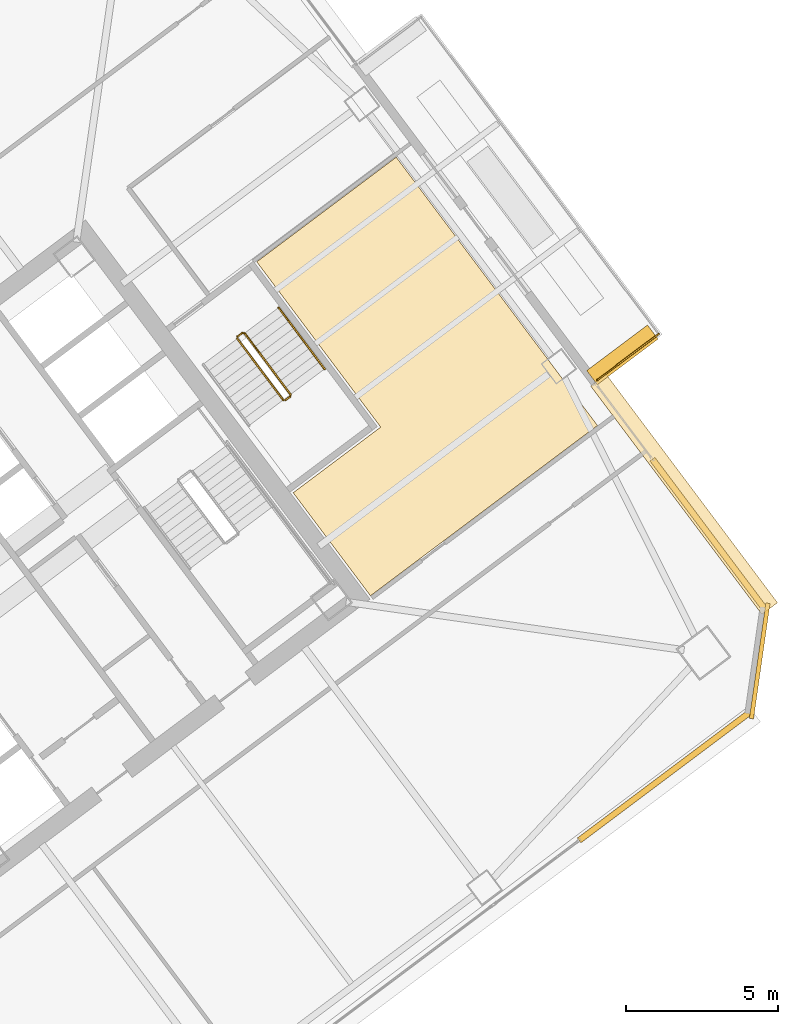
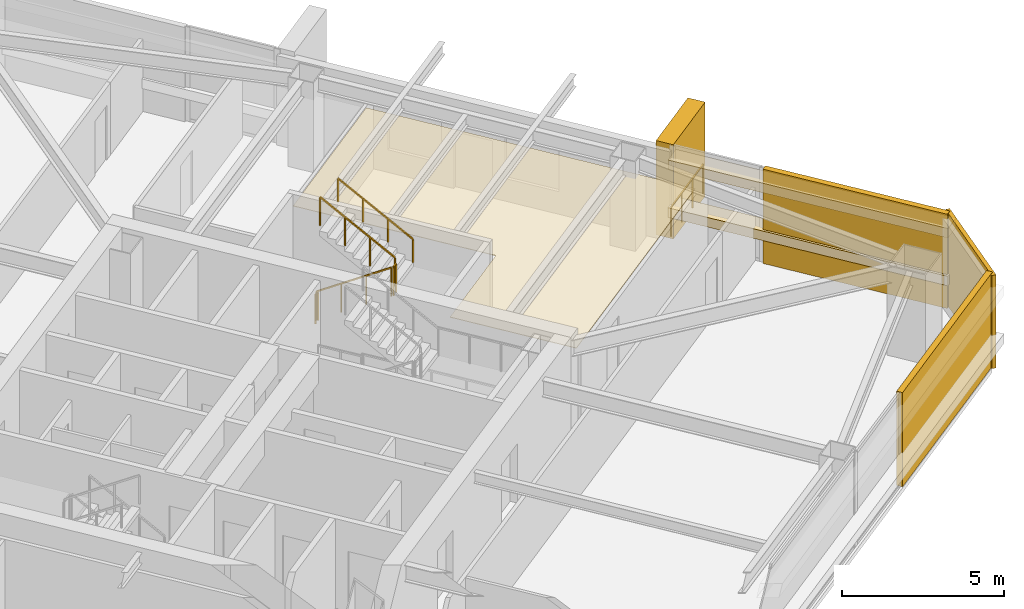
# One storey, part 39 of 41: 7 coverings, 6 railings.
"""IFC4 building model written with IfcOpenShell, lengths in metres."""

from ifc_helpers import new_model, si_unit, direction, frame, origin, origin_2d, place, context, subcontext, project, spatial, polyline, rectangle, outline, extrude, material, layer, layer_set, type_object, element, save


model = new_model("IFC4")

# Units and contexts
model_context = context("Model", 3, precision=1e-05, world=origin(), true_north=direction((0.0, 1.0)))
body_context = subcontext(model_context, "Body", "Model", "MODEL_VIEW")
ifc_project = project(units=[si_unit("LENGTHUNIT", "METRE"), si_unit("AREAUNIT", "SQUARE_METRE"), si_unit("VOLUMEUNIT", "CUBIC_METRE"), si_unit("PLANEANGLEUNIT", "RADIAN"), si_unit("MASSUNIT", "GRAM", prefix="KILO")], contexts=[model_context])

# Site, building, storey
site_placement = place(None, origin())
site = spatial("IfcSite", under=ifc_project, at=site_placement, CompositionType="ELEMENT")
building_placement = place(site_placement, origin())
building = spatial("IfcBuilding", under=site, at=building_placement, Name="Tashvorn Skyway Center", CompositionType="ELEMENT")
storey_placement = place(building_placement, frame((0.0, 0.0, 146.35009765625)))
storey = spatial("IfcBuildingStorey", under=building, at=storey_placement, Name="L39", CompositionType="ELEMENT", Elevation=146.35009765625)

# Coverings
ifc_material_1 = material(Name="Precast concrete C40/50", Category="concrete")
ifc_layer_1 = layer(ifc_material_1, 0.199951171875)
ifc_layer_set_1 = layer_set([ifc_layer_1], Name="Precast concrete C40/50")
covering_type_1 = type_object("IfcCoveringType", Name="COV-BRACE-CLAD", PredefinedType="CLADDING", material=ifc_layer_set_1)
covering_1_placement = place(storey_placement, frame((134.848876953125, 24.78662109375, 0.0), z_axis=(0.0, 0.0, 1.0), x_axis=(-0.799999996291, -0.600000004945, 0.0)))
element("IfcCovering", 1, at=covering_1_placement, inside=storey, type_object=covering_type_1, Name="Tower 2 L39 South Unitised Curtain Wall Mega-Brace Cladding Band 1", PredefinedType="CLADDING", context=body_context, shape_type="SweptSolid", body=[
    extrude(rectangle(XDim=7.057861328125, YDim=0.199951171875, at=origin_2d()), origin(), (0.0, 0.0, 1.0), 3.550048828125),
])
covering_2_placement = place(storey_placement, frame((136.2958984375, 32.73876953125, 0.0), z_axis=(0.0, 0.0, 1.0), x_axis=(0.600000004945, -0.799999996291, 0.0)))
element("IfcCovering", 2, at=covering_2_placement, inside=storey, type_object=covering_type_1, Name="Tower 2 L39 East Curtain Wall R Mega-Brace Cladding Band 1", PredefinedType="CLADDING", context=body_context, shape_type="SweptSolid", body=[
    extrude(rectangle(XDim=6.1865234375, YDim=0.199951171875, at=origin_2d()), origin(), (0.0, 0.0, 1.0), 3.550048828125),
])
ifc_material_2 = material(Name="Mineral-fibre acoustic ceiling tile on suspended grid")
ifc_layer_2 = layer(ifc_material_2, 0.02001953125)
ifc_layer_set_2 = layer_set([ifc_layer_2], Name="Mineral-fibre acoustic ceiling tile on suspended grid")
covering_type_2 = type_object("IfcCoveringType", Name="COV-CEIL-20", PredefinedType="CEILING", material=ifc_layer_set_2)
covering_3_placement = place(storey_placement, frame((0.0, 0.0, 2.702880859375)))
element("IfcCovering", 3, at=covering_3_placement, inside=storey, type_object=covering_type_2, Name="Tower 2 L39 Public Restroom Acoustic Ceiling", PredefinedType="CEILING", context=body_context, shape_type="SweptSolid", body=[
    extrude(outline(polyline([(125.159912109375, 30.719970703125), (122.615966796875, 34.112060546875), (125.49609375, 36.27197265625), (121.416015625, 41.7119140625), (126.008056640625, 45.156005859375), (130.087890625, 39.716064453125), (132.632080078125, 36.323974609375), (125.159912109375, 30.719970703125)])), origin(), (0.0, 0.0, 1.0), 0.02001953125),
])
ifc_material_3 = material(Name="Perforated ceramic-coated bronze aluminium solar screen", Category="aluminium")
ifc_layer_3 = layer(ifc_material_3, 0.85009765625)
ifc_layer_set_3 = layer_set([ifc_layer_3], Name="Perforated ceramic-coated bronze aluminium solar screen")
covering_type_3 = type_object("IfcCoveringType", Name="COV-SOLAR-BAND", PredefinedType="CLADDING", material=ifc_layer_set_3)
for number, where, z_axis, x_axis, name in (
    (4, (135.47998046875, 34.06005859375, 0.919921875), (0.0, 0.0, 1.0), (0.600000004945, -0.799999996291, 0.0), "L39 Perforated Ceramic-Metal Solar Screen Louvre Band East 1"),
    (5, (135.47998046875, 34.06005859375, 2.7197265625), (0.0, 0.0, 1.0), (0.600000004945, -0.799999996291, 0.0), "L39 Perforated Ceramic-Metal Solar Screen Louvre Band East 2"),
):
    element("IfcCovering", number, at=place(storey_placement, frame(where, z_axis=z_axis, x_axis=x_axis)), inside=storey, type_object=covering_type_3, Name=name, PredefinedType="CLADDING", context=body_context, shape_type="SweptSolid", body=[
        extrude(rectangle(XDim=9.39990234375, YDim=0.639892578125, at=origin_2d()), origin(), (0.0, 0.0, 1.0), 0.360107421875),
    ])
ifc_layer_4 = layer(ifc_material_1, 0.35009765625)
ifc_layer_set_4 = layer_set([ifc_layer_4], Name="Precast concrete C40/50")
covering_type_4 = type_object("IfcCoveringType", Name="COV-STONE-TRIM", PredefinedType="CLADDING", material=ifc_layer_set_4)
covering_4_placement = place(storey_placement, frame((133.449951171875, 38.64990234375, 0.0), z_axis=(0.0, 0.0, 1.0), x_axis=(0.600000004945, -0.799999996291, 0.0)))
element("IfcCovering", 6, at=covering_4_placement, inside=storey, type_object=covering_type_4, Name="Tower 2 L39 Sky Garden Loggia Pier R", PredefinedType="CLADDING", context=body_context, shape_type="SweptSolid", body=[
    extrude(rectangle(XDim=0.580078125, YDim=2.5, at=origin_2d()), origin(), (0.0, 0.0, 1.0), 3.550048828125),
])
covering_5_placement = place(storey_placement, frame((137.968017578125, 28.575927734375, 0.02001953125), z_axis=(0.0, 0.0, 1.0), x_axis=(0.141421350118, 0.989949494535, 0.0)))
element("IfcCovering", 7, at=covering_5_placement, inside=storey, type_object=covering_type_4, Name="Tower 2 L39 SE Mojave Limestone Corner Quoin", PredefinedType="CLADDING", context=body_context, shape_type="SweptSolid", body=[
    extrude(rectangle(XDim=3.8369140625, YDim=0.139892578125, at=origin_2d()), origin(), (0.0, 0.0, 1.0), 3.510009765625),
])

# Railings
ifc_material_4 = material(Name="Galvanized steel S355", Category="steel")
railing_type_1 = type_object("IfcRailingType", Name="RAIL-GUARD-1120", PredefinedType="GUARDRAIL", material=ifc_material_4)
railing_1_placement = place(storey_placement, frame((132.632080078125, 37.823974609375, 0.0)))
element("IfcRailing", 8, at=railing_1_placement, inside=storey, type_object=railing_type_1, Name="L39 Tower 2 Terrace Guardrail 01", PredefinedType="GUARDRAIL", context=body_context, shape_type="SweptSolid", body=[
    extrude(rectangle(XDim=0.048095703125, YDim=0.048095703125, at=origin_2d()), frame((0.0, 0.0, 1.09619140625), z_axis=(0.79998837352, 0.60001550166, 0.0), x_axis=(-0.60001550166, 0.79998837352, 0.0)), (0.0, 0.0, 1.0), 2.519775390625),
    extrude(rectangle(XDim=0.0419921875, YDim=0.0419921875, at=origin_2d()), origin(), (0.0, 0.0, 1.0), 1.072021484375),
    extrude(rectangle(XDim=0.0419921875, YDim=0.0419921875, at=origin_2d()), frame((0.671875, 0.50390625, 0.0)), (0.0, 0.0, 1.0), 1.072021484375),
    extrude(rectangle(XDim=0.0419921875, YDim=0.0419921875, at=origin_2d()), frame((1.343994140625, 1.008056640625, 0.0)), (0.0, 0.0, 1.0), 1.072021484375),
    extrude(rectangle(XDim=0.0419921875, YDim=0.0419921875, at=origin_2d()), frame((2.015869140625, 1.511962890625, 0.0)), (0.0, 0.0, 1.0), 1.072021484375),
])
ifc_material_5 = material(Name="Brushed stainless steel 316", Category="steel")
railing_type_2 = type_object("IfcRailingType", Name="RAIL-HAND-920", PredefinedType="HANDRAIL", material=ifc_material_5)
railing_2_placement = place(storey_placement, frame((123.64794921875, 38.18603515625, 1.952392578125)))
element("IfcRailing", 9, at=railing_2_placement, inside=storey, type_object=railing_type_2, Name="L39 ST-T2-3 stair handrail 2", PredefinedType="HANDRAIL", context=body_context, shape_type="SweptSolid", body=[
    extrude(rectangle(XDim=0.048095703125, YDim=0.048095703125, at=origin_2d()), frame((0.0, 0.0, 0.8759765625), z_axis=(-0.506768818287, 0.675664481285, 0.535409071218), x_axis=(-0.79998837352, -0.60001550166, 0.0)), (0.0, 0.0, 1.0), 2.983642578125),
    extrude(rectangle(XDim=0.0419921875, YDim=0.0419921875, at=origin_2d()), origin(), (0.0, 0.0, 1.0), 0.851806640625),
    extrude(rectangle(XDim=0.0419921875, YDim=0.0419921875, at=origin_2d()), frame((-0.50390625, 0.671875, 0.532470703125)), (0.0, 0.0, 1.0), 0.851806640625),
    extrude(rectangle(XDim=0.0419921875, YDim=0.0419921875, at=origin_2d()), frame((-1.008056640625, 1.343994140625, 1.06494140625)), (0.0, 0.0, 1.0), 0.851806640625),
    extrude(rectangle(XDim=0.0419921875, YDim=0.0419921875, at=origin_2d()), frame((-1.511962890625, 2.015869140625, 1.597412109375)), (0.0, 0.0, 1.0), 0.851806640625),
])
ifc_material_6 = material(Name="Painted galvanized steel S355", Category="steel")
railing_type_3 = type_object("IfcRailingType", Name="RAIL-STGUARD-1100", PredefinedType="GUARDRAIL", material=ifc_material_6)
railing_3_placement = place(storey_placement, frame((120.77587890625, 39.181884765625, 0.177490234375)))
element("IfcRailing", 10, at=railing_3_placement, inside=storey, type_object=railing_type_3, Name="L39 ST-T2-3 stair guard 1", PredefinedType="GUARDRAIL", context=body_context, shape_type="SweptSolid", body=[
    extrude(rectangle(XDim=0.048095703125, YDim=0.048095703125, at=origin_2d()), frame((0.0, 0.0, 1.076171875), z_axis=(0.506829628838, -0.67563646195, 0.535386868177), x_axis=(0.799941867976, 0.600077501544, 0.0)), (0.0, 0.0, 1.0), 2.983642578125),
    extrude(rectangle(XDim=0.0419921875, YDim=0.0419921875, at=origin_2d()), origin(), (0.0, 0.0, 1.0), 1.052001953125),
    extrude(rectangle(XDim=0.0419921875, YDim=0.0419921875, at=origin_2d()), frame((0.504150390625, -0.671875, 0.532470703125)), (0.0, 0.0, 1.0), 1.052001953125),
    extrude(rectangle(XDim=0.0419921875, YDim=0.0419921875, at=origin_2d()), frame((1.008056640625, -1.343994140625, 1.06494140625)), (0.0, 0.0, 1.0), 1.052001953125),
    extrude(rectangle(XDim=0.0419921875, YDim=0.0419921875, at=origin_2d()), frame((1.51220703125, -2.015869140625, 1.597412109375)), (0.0, 0.0, 1.0), 1.052001953125),
])
railing_4_placement = place(storey_placement, frame((122.35791015625, 37.156005859375, 1.77490234375)))
element("IfcRailing", 11, at=railing_4_placement, inside=storey, type_object=railing_type_3, Name="L39 ST-T2-3 stair guard 2", PredefinedType="GUARDRAIL", context=body_context, shape_type="SweptSolid", body=[
    extrude(rectangle(XDim=0.048095703125, YDim=0.048095703125, at=origin_2d()), frame((0.0, 0.0, 1.076171875), z_axis=(0.800585412921, 0.599218655098, 0.0), x_axis=(-0.599218655098, 0.800585412921, 0.0)), (0.0, 0.0, 1.0), 0.199951171875),
    extrude(rectangle(XDim=0.0419921875, YDim=0.0419921875, at=origin_2d()), origin(), (0.0, 0.0, 1.0), 1.052001953125),
    extrude(rectangle(XDim=0.0419921875, YDim=0.0419921875, at=origin_2d()), frame((0.16015625, 0.119873046875, 0.0)), (0.0, 0.0, 1.0), 1.052001953125),
])
railing_5_placement = place(storey_placement, frame((122.528076171875, 37.345947265625, 1.952392578125)))
element("IfcRailing", 12, at=railing_5_placement, inside=storey, type_object=railing_type_3, Name="L39 ST-T2-3 stair guard 3", PredefinedType="GUARDRAIL", context=body_context, shape_type="SweptSolid", body=[
    extrude(rectangle(XDim=0.048095703125, YDim=0.048095703125, at=origin_2d()), frame((0.0, 0.0, 1.076171875), z_axis=(-0.506740800098, 0.675708949977, 0.535379469569), x_axis=(-0.800023250257, -0.599968998406, 0.0)), (0.0, 0.0, 1.0), 2.983642578125),
    extrude(rectangle(XDim=0.0419921875, YDim=0.0419921875, at=origin_2d()), origin(), (0.0, 0.0, 1.0), 1.052001953125),
    extrude(rectangle(XDim=0.0419921875, YDim=0.0419921875, at=origin_2d()), frame((-0.50390625, 0.672119140625, 0.532470703125)), (0.0, 0.0, 1.0), 1.052001953125),
    extrude(rectangle(XDim=0.0419921875, YDim=0.0419921875, at=origin_2d()), frame((-1.008056640625, 1.343994140625, 1.06494140625)), (0.0, 0.0, 1.0), 1.052001953125),
    extrude(rectangle(XDim=0.0419921875, YDim=0.0419921875, at=origin_2d()), frame((-1.511962890625, 2.01611328125, 1.597412109375)), (0.0, 0.0, 1.0), 1.052001953125),
])
railing_6_placement = place(storey_placement, frame((120.785888671875, 39.251953125, 0.0)))
element("IfcRailing", 13, at=railing_6_placement, inside=storey, type_object=railing_type_3, Name="L39 ST-T2-3 stair guard 4", PredefinedType="GUARDRAIL", context=body_context, shape_type="SweptSolid", body=[
    extrude(rectangle(XDim=0.048095703125, YDim=0.048095703125, at=origin_2d()), frame((0.0, 0.0, 1.076171875), z_axis=(0.8, 0.6, 0.0), x_axis=(-0.6, 0.8, 0.0)), (0.0, 0.0, 1.0), 0.2001953125),
    extrude(rectangle(XDim=0.0419921875, YDim=0.0419921875, at=origin_2d()), origin(), (0.0, 0.0, 1.0), 1.052001953125),
    extrude(rectangle(XDim=0.0419921875, YDim=0.0419921875, at=origin_2d()), frame((0.16015625, 0.1201171875, 0.0)), (0.0, 0.0, 1.0), 1.052001953125),
])

save(model, "model.ifc")
